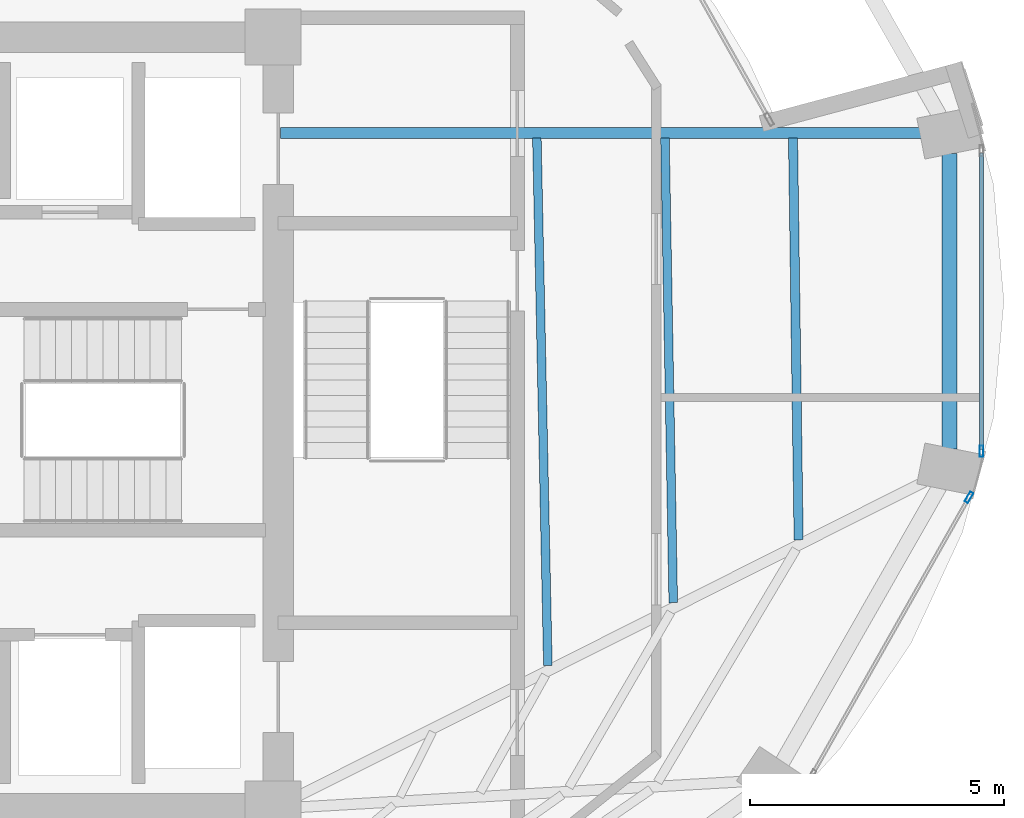
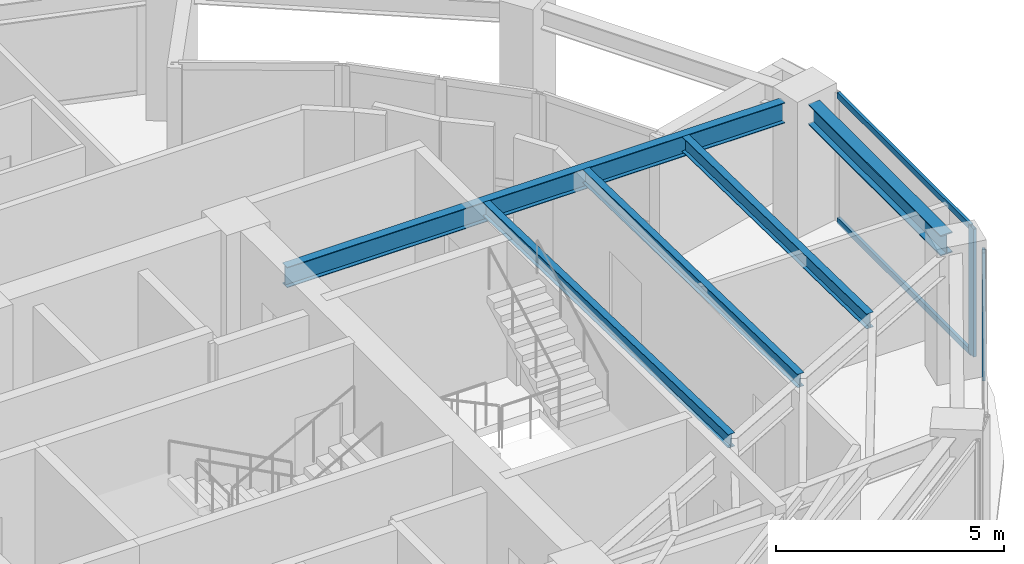
# One storey, part 10 of 19: 5 beams, 4 members, 2 elements without a shape of their own.
"""IFC4 building model written with IfcOpenShell, lengths in metres."""

from ifc_helpers import new_model, si_unit, direction, frame, origin, origin_2d, place, context, subcontext, project, spatial, hollow_rectangle, i_section, extrude, material, layer, layer_set, material_profile, profile_set, type_object, element, aggregate, save


model = new_model("IFC4")

# Units and contexts
model_context = context("Model", 3, precision=1e-05, world=origin(), true_north=direction((0.0, 1.0)))
body_context = subcontext(model_context, "Body", "Model", "MODEL_VIEW")
ifc_project = project(units=[si_unit("LENGTHUNIT", "METRE"), si_unit("AREAUNIT", "SQUARE_METRE"), si_unit("VOLUMEUNIT", "CUBIC_METRE"), si_unit("PLANEANGLEUNIT", "RADIAN"), si_unit("MASSUNIT", "GRAM", prefix="KILO")], contexts=[model_context])

# Site, building, storey
site_placement = place(None, origin())
site = spatial("IfcSite", under=ifc_project, at=site_placement, CompositionType="ELEMENT")
building_placement = place(site_placement, origin())
building = spatial("IfcBuilding", under=site, at=building_placement, Name="Lazwardi Medical Tower", CompositionType="ELEMENT")
storey_placement = place(building_placement, frame((0.0, 0.0, 167.471923828125)))
storey = spatial("IfcBuildingStorey", under=building, at=storey_placement, Name="L43", CompositionType="ELEMENT", Elevation=167.471923828125)

# Beams
ifc_material_1 = material(Name="Steel S355", Category="steel")
ifc_material_profile_1 = material_profile(ifc_material_1, i_section(OverallWidth=0.300048828125, OverallDepth=0.550048828125, WebThickness=0.014892578125, FlangeThickness=0.029052734375, at=origin_2d()), Name="HEB 550")
ifc_profile_set_1 = profile_set([ifc_material_profile_1], Name="Steel S355")
beam_type_1 = type_object("IfcBeamType", Name="BM-RB-Z3", PredefinedType="BEAM", material=ifc_profile_set_1)
beam_1_placement = place(storey_placement, frame((58.92578125, 27.48828125, 3.153076171875), z_axis=(0.0, 1.0, 0.0), x_axis=(-1.0, 0.0, 0.0)))
element("IfcBeam", 1, at=beam_1_placement, inside=storey, type_object=beam_type_1, Name="Ring beam RB-04 B04 L43", PredefinedType="BEAM", context=body_context, shape_type="SweptSolid", body=[
    extrude(i_section(OverallWidth=0.300048828125, OverallDepth=0.550048828125, WebThickness=0.014892578125, FlangeThickness=0.029052734375, at=origin_2d()), origin(), (0.0, 0.0, 1.0), 5.823486328125),
])
ifc_material_profile_2 = material_profile(ifc_material_1, i_section(OverallWidth=0.2099609375, OverallDepth=0.550048828125, WebThickness=0.010986328125, FlangeThickness=0.01708984375, at=origin_2d()), Name="IPE 550")
ifc_profile_set_2 = profile_set([ifc_material_profile_2], Name="Steel S355")
beam_type_2 = type_object("IfcBeamType", Name="BM-RG-W2", PredefinedType="BEAM", material=ifc_profile_set_2)
beam_2_placement = place(storey_placement, frame((58.365966796875, 33.711669921875, 3.153076171875), z_axis=(-1.0, 0.0, 0.0), x_axis=(0.0, -1.0, 0.0)))
element("IfcBeam", 2, at=beam_2_placement, inside=storey, type_object=beam_type_2, Name="Radial girder RG-03 R05 L43", PredefinedType="BEAM", context=body_context, shape_type="SweptSolid", body=[
    extrude(i_section(OverallWidth=0.2099609375, OverallDepth=0.550048828125, WebThickness=0.010986328125, FlangeThickness=0.01708984375, at=origin_2d()), origin(), (0.0, 0.0, 1.0), 12.615966796875),
])
ifc_material_profile_3 = material_profile(ifc_material_1, i_section(OverallWidth=0.179931640625, OverallDepth=0.39990234375, WebThickness=0.008544921875, FlangeThickness=0.013427734375, at=origin_2d()), Name="IPE 400")
ifc_profile_set_3 = profile_set([ifc_material_profile_3], Name="Steel S355")
beam_type_3 = type_object("IfcBeamType", Name="BM-SJ-01", PredefinedType="JOIST", material=ifc_profile_set_3)
beam_3_placement = place(storey_placement, frame((55.95458984375, 25.69775390625, 3.22802734375), z_axis=(-0.013973216114, 0.99990236985, 0.0), x_axis=(-0.99990236985, -0.013973216114, 0.0)))
element("IfcBeam", 3, at=beam_3_placement, inside=storey, type_object=beam_type_3, Name="Secondary joist SJ-01 R1 B04 L43", PredefinedType="JOIST", context=body_context, shape_type="SweptSolid", body=[
    extrude(i_section(OverallWidth=0.179931640625, OverallDepth=0.39990234375, WebThickness=0.008544921875, FlangeThickness=0.013427734375, at=origin_2d()), origin(), (0.0, 0.0, 1.0), 7.914794921875),
])
ifc_material_profile_4 = material_profile(ifc_material_1, i_section(OverallWidth=0.169921875, OverallDepth=0.360107421875, WebThickness=0.008056640625, FlangeThickness=0.0126953125, at=origin_2d()), Name="IPE 360")
ifc_profile_set_4 = profile_set([ifc_material_profile_4], Name="Steel S355")
beam_type_4 = type_object("IfcBeamType", Name="BM-SJ-02", PredefinedType="JOIST", material=ifc_profile_set_4)
beam_4_placement = place(storey_placement, frame((53.484619140625, 24.458251953125, 3.248046875), z_axis=(-0.017840490914, 0.999840845777, 0.0), x_axis=(-0.999840845777, -0.017840490914, 0.0)))
element("IfcBeam", 4, at=beam_4_placement, inside=storey, type_object=beam_type_4, Name="Secondary joist SJ-02 R2 B04 L43", PredefinedType="JOIST", context=body_context, shape_type="SweptSolid", body=[
    extrude(i_section(OverallWidth=0.169921875, OverallDepth=0.360107421875, WebThickness=0.008056640625, FlangeThickness=0.0126953125, at=origin_2d()), origin(), (0.0, 0.0, 1.0), 9.155029296875),
])
beam_5_placement = place(storey_placement, frame((51.014892578125, 23.21875, 3.248046875), z_axis=(-0.020831748111, 0.99978299559, 0.0), x_axis=(-0.99978299559, -0.020831748111, 0.0)))
element("IfcBeam", 5, at=beam_5_placement, inside=storey, type_object=beam_type_4, Name="Secondary joist SJ-02 R3 B04 L43", PredefinedType="JOIST", context=body_context, shape_type="SweptSolid", body=[
    extrude(i_section(OverallWidth=0.169921875, OverallDepth=0.360107421875, WebThickness=0.008056640625, FlangeThickness=0.0126953125, at=origin_2d()), origin(), (0.0, 0.0, 1.0), 10.395263671875),
])

# Curtain wall, member
ifc_material_2 = material(Name="Anodised bronze aluminium and solar control glazing", Category="aluminium")
ifc_layer = layer(ifc_material_2, 0.195068359375)
ifc_layer_set = layer_set([ifc_layer], Name="Anodised bronze aluminium and solar control glazing")
curtain_wall_type = type_object("IfcCurtainWallType", Name="CW-SYS-03", PredefinedType="NOTDEFINED", material=ifc_layer_set)
curtain_wall_1_placement = place(storey_placement, origin())
curtain_wall_1 = element("IfcCurtainWall", 6, at=curtain_wall_1_placement, inside=storey, type_object=curtain_wall_type, Name="L43 Unitised bronze curtain wall CW-03", PredefinedType="NOTDEFINED")
ifc_material_3 = material(Name="Anodised bronze aluminium", Category="aluminium")
ifc_material_profile_5 = material_profile(ifc_material_3, hollow_rectangle(XDim=0.074951171875, YDim=0.219970703125, WallThickness=0.00390625, at=origin_2d()), Name="ALU-MULLION 220x75x4")
ifc_profile_set_5 = profile_set([ifc_material_profile_5], Name="Anodised bronze aluminium")
member_type_1 = type_object("IfcMemberType", Name="CW-MUL-01", PredefinedType="MULLION", material=ifc_profile_set_5)
member_1_placement = place(storey_placement, frame((59.31103515625, 26.53271484375, 0.0), z_axis=(0.0, 0.0, 1.0), x_axis=(-0.870418989303, 0.492311672683, 0.0)))
member_1 = element("IfcMember", 7, at=member_1_placement, type_object=member_type_1, Name="CW-03 mullion 2", PredefinedType="MULLION", context=body_context, shape_type="SweptSolid", body=[
    extrude(hollow_rectangle(XDim=0.074951171875, YDim=0.219970703125, WallThickness=0.00390625, at=origin_2d()), origin(), (0.0, 0.0, 1.0), 3.427978515625),
])
aggregate(curtain_wall_1, [member_1])

# Curtain wall, members
curtain_wall_2_placement = place(storey_placement, origin())
curtain_wall_2 = element("IfcCurtainWall", 8, at=curtain_wall_2_placement, inside=storey, type_object=curtain_wall_type, Name="L43 Unitised bronze curtain wall CW-03", PredefinedType="NOTDEFINED")
member_2_placement = place(storey_placement, frame((59.5576171875, 27.442138671875, 0.0), z_axis=(0.0, 0.0, 1.0), x_axis=(-1.0, 0.0, 0.0)))
member_2 = element("IfcMember", 9, at=member_2_placement, type_object=member_type_1, Name="CW-03 mullion 1", PredefinedType="MULLION", context=body_context, shape_type="SweptSolid", body=[
    extrude(hollow_rectangle(XDim=0.074951171875, YDim=0.219970703125, WallThickness=0.00390625, at=origin_2d()), origin(), (0.0, 0.0, 1.0), 3.427978515625),
])
ifc_material_profile_6 = material_profile(ifc_material_3, hollow_rectangle(XDim=0.074951171875, YDim=0.159912109375, WallThickness=0.00390625, at=origin_2d()), Name="ALU-TRANSOM 160x75x4")
ifc_profile_set_6 = profile_set([ifc_material_profile_6], Name="Anodised bronze aluminium")
member_type_2 = type_object("IfcMemberType", Name="CW-TRN-01", PredefinedType="USERDEFINED", material=ifc_profile_set_6)
member_3_placement = place(storey_placement, frame((59.5576171875, 27.4794921875, 0.03759765625), z_axis=(0.0, 1.0, 0.0), x_axis=(-1.0, 0.0, 0.0)))
member_3 = element("IfcMember", 10, at=member_3_placement, type_object=member_type_2, Name="CW-03 transom 1.1", ObjectType="TRANSOM", PredefinedType="USERDEFINED", context=body_context, shape_type="SweptSolid", body=[
    extrude(hollow_rectangle(XDim=0.074951171875, YDim=0.159912109375, WallThickness=0.00390625, at=origin_2d()), origin(), (0.0, 0.0, 1.0), 5.8408203125),
])
member_4_placement = place(storey_placement, frame((59.5576171875, 27.4794921875, 3.390625), z_axis=(0.0, 1.0, 0.0), x_axis=(-1.0, 0.0, 0.0)))
member_4 = element("IfcMember", 11, at=member_4_placement, type_object=member_type_2, Name="CW-03 transom 1.2", ObjectType="TRANSOM", PredefinedType="USERDEFINED", context=body_context, shape_type="SweptSolid", body=[
    extrude(hollow_rectangle(XDim=0.074951171875, YDim=0.159912109375, WallThickness=0.00390625, at=origin_2d()), origin(), (0.0, 0.0, 1.0), 5.8408203125),
])
aggregate(curtain_wall_2, [member_2, member_3, member_4])

save(model, "model.ifc")
